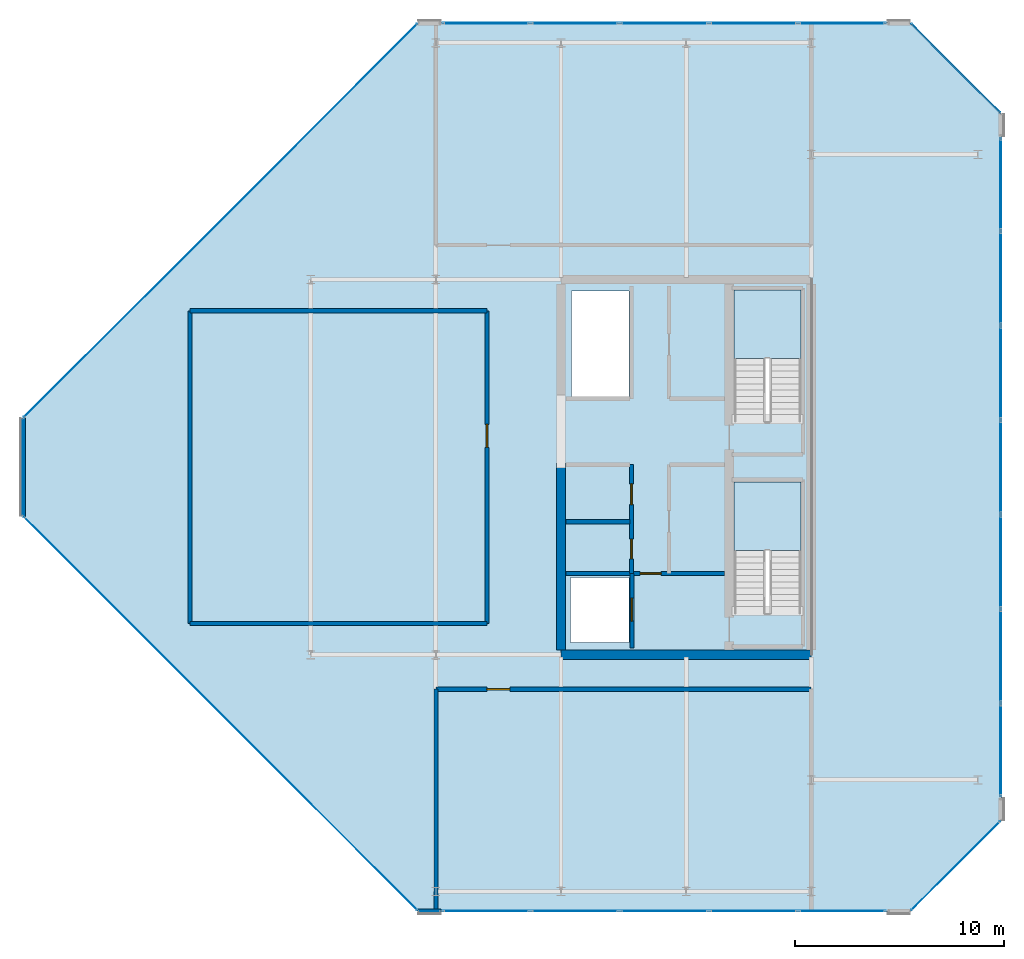
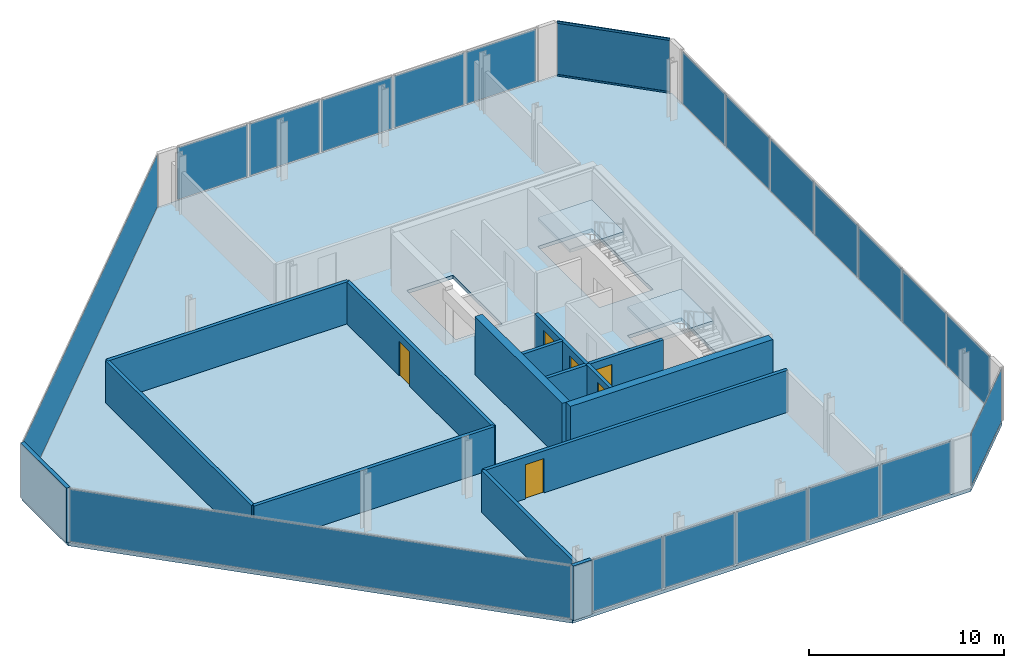
# One storey, part 13 of 16: 21 plates, 14 walls, 6 doors, 3 slabs, 2 members, 6 openings, 9 elements without a shape of their own.
"""IFC4 building model written with IfcOpenShell, lengths in metres."""

from ifc_helpers import new_model, si_unit, direction, frame, frame_2d, origin, origin_2d, place, context, subcontext, project, spatial, polyline, rectangle, hollow_rectangle, outline, extrude, material, layer, layer_set, material_profile, profile_set, type_object, element, fill, aggregate, save


model = new_model("IFC4")

# Units and contexts
model_context = context("Model", 3, precision=1e-05, world=origin(), true_north=direction((0.0, 1.0)))
body_context = subcontext(model_context, "Body", "Model", "MODEL_VIEW")
ifc_project = project(units=[si_unit("LENGTHUNIT", "METRE"), si_unit("AREAUNIT", "SQUARE_METRE"), si_unit("VOLUMEUNIT", "CUBIC_METRE"), si_unit("PLANEANGLEUNIT", "RADIAN"), si_unit("MASSUNIT", "GRAM", prefix="KILO")], contexts=[model_context])

# Site, building, storey
site_placement = place(None, origin())
site = spatial("IfcSite", under=ifc_project, at=site_placement, CompositionType="ELEMENT")
building_placement = place(site_placement, origin())
building = spatial("IfcBuilding", under=site, at=building_placement, Name="Tanjung Sevakor Pilgrim Tower", CompositionType="ELEMENT")
storey_placement = place(building_placement, frame((0.0, 0.0, 271.590087890625)))
storey = spatial("IfcBuildingStorey", under=building, at=storey_placement, Name="L76", CompositionType="ELEMENT", Elevation=271.590087890625)

# Curtain wall, members
ifc_material_1 = material(Name="Aluminium 6063-T6 and Low-E Glass", Category="aluminium")
ifc_layer_1 = layer(ifc_material_1, 0.179931640625)
ifc_layer_set_1 = layer_set([ifc_layer_1], Name="CW-SYS-CHAM")
curtain_wall_type_1 = type_object("IfcCurtainWallType", Name="CW-SYS-CHAM", PredefinedType="NOTDEFINED", material=ifc_layer_set_1)
curtain_wall_1_placement = place(storey_placement, origin())
curtain_wall_1 = element("IfcCurtainWall", 1, at=curtain_wall_1_placement, inside=storey, type_object=curtain_wall_type_1, Name="L76 Curtain Wall CW-CHM-L76-EAST-3", PredefinedType="NOTDEFINED")
ifc_material_2 = material(Name="Aluminium 6063-T6", Category="aluminium")
ifc_material_profile = material_profile(ifc_material_2, hollow_rectangle(XDim=0.06494140625, YDim=0.139892578125, WallThickness=0.00390625, at=origin_2d()))
ifc_profile_set = profile_set([ifc_material_profile], Name="Aluminium 6063-T6")
member_type = type_object("IfcMemberType", Name="TYPE-CWT-1", PredefinedType="USERDEFINED", material=ifc_profile_set)
member_1_placement = place(storey_placement, frame((99.0439453125, 50.600341796875, 0.032470703125), z_axis=(-0.707106781187, 0.707106781187, 0.0), x_axis=(-0.707106781187, -0.707106781187, 0.0)))
member_1 = element("IfcMember", 2, at=member_1_placement, type_object=member_type, Name="CW-CHM transom 1.1", ObjectType="TRANSOM", PredefinedType="USERDEFINED", context=body_context, shape_type="SweptSolid", body=[
    extrude(hollow_rectangle(XDim=0.06494140625, YDim=0.139892578125, WallThickness=0.00390625, at=origin_2d()), origin(), (0.0, 0.0, 1.0), 6.00146484375),
])
member_2_placement = place(storey_placement, frame((99.0439453125, 50.600341796875, 3.37744140625), z_axis=(-0.707106781187, 0.707106781187, 0.0), x_axis=(-0.707106781187, -0.707106781187, 0.0)))
member_2 = element("IfcMember", 3, at=member_2_placement, type_object=member_type, Name="CW-CHM transom 1.2", ObjectType="TRANSOM", PredefinedType="USERDEFINED", context=body_context, shape_type="SweptSolid", body=[
    extrude(hollow_rectangle(XDim=0.06494140625, YDim=0.139892578125, WallThickness=0.00390625, at=origin_2d()), origin(), (0.0, 0.0, 1.0), 6.00146484375),
])

# Stair, slab
ifc_material_3 = material(Name="Concrete C40/50", Category="concrete")
stair_type = type_object("IfcStairType", Name="STAIR-ST-CR150", PredefinedType="HALF_TURN_STAIR", material=ifc_material_3)
stair_1_placement = place(storey_placement, origin())
stair_1 = element("IfcStair", 4, at=stair_1_placement, inside=storey, type_object=stair_type, Name="L76 East Core Exit Stair 1", PredefinedType="HALF_TURN_STAIR")
ifc_material_4 = material(Name="Concrete C40/50", Category="concrete")
ifc_layer_2 = layer(ifc_material_4, 0.199951171875)
ifc_layer_set_2 = layer_set([ifc_layer_2], Name="SL-LAND-200")
slab_type_1 = type_object("IfcSlabType", Name="SL-LAND-200", PredefinedType="LANDING", material=ifc_layer_set_2)
slab_1_placement = place(storey_placement, frame((0.0, 0.0, 1.614990234375)))
slab_1 = element("IfcSlab", 5, at=slab_1_placement, type_object=slab_type_1, Name="TS-E1 landing 1", PredefinedType="LANDING", context=body_context, shape_type="SweptSolid", body=[
    extrude(outline(polyline([(89.5, 29.60009765625), (89.5, 32.89990234375), (86.300048828125, 32.89990234375), (86.300048828125, 29.60009765625), (89.5, 29.60009765625)])), origin(), (0.0, 0.0, 1.0), 0.199951171875),
])
aggregate(stair_1, [slab_1])

stair_2_placement = place(storey_placement, origin())
stair_2 = element("IfcStair", 6, at=stair_2_placement, inside=storey, type_object=stair_type, Name="L76 East Core Exit Stair 2", PredefinedType="HALF_TURN_STAIR")
slab_2_placement = place(storey_placement, frame((0.0, 0.0, 1.614990234375)))
slab_2 = element("IfcSlab", 7, at=slab_2_placement, type_object=slab_type_1, Name="TS-E2 landing 1", PredefinedType="LANDING", context=body_context, shape_type="SweptSolid", body=[
    extrude(outline(polyline([(89.5, 38.800048828125), (89.5, 42.10009765625), (86.300048828125, 42.10009765625), (86.300048828125, 38.800048828125), (89.5, 38.800048828125)])), origin(), (0.0, 0.0, 1.0), 0.199951171875),
])
aggregate(stair_2, [slab_2])

# Slab
ifc_material_5 = material(Name="Concrete C40/50", Category="concrete")
ifc_layer_3 = layer(ifc_material_5, 0.219970703125)
ifc_layer_set_3 = layer_set([ifc_layer_3], Name="SL-TWR-220")
slab_type_2 = type_object("IfcSlabType", Name="SL-TWR-220", PredefinedType="FLOOR", material=ifc_layer_set_3)
slab_3_placement = place(storey_placement, frame((0.0, 0.0, -0.219970703125)))
element("IfcSlab", 8, at=slab_3_placement, inside=storey, type_object=slab_type_2, Name="L76 Floor Slab EAST", PredefinedType="FLOOR", context=body_context, shape_type="SweptSolid", body=[
    extrude(outline(polyline([(71.14697265625, 12.280029296875), (94.753173828125, 12.280029296875), (99.1201171875, 16.64697265625), (99.1201171875, 50.552978515625), (94.753173828125, 54.919921875), (71.14697265625, 54.919921875), (52.179931640625, 35.953125), (52.179931640625, 31.246826171875), (71.14697265625, 12.280029296875)]), holes=[polyline([(89.5, 26.60009765625), (89.5, 32.89990234375), (86.300048828125, 32.89990234375), (86.300048828125, 26.60009765625), (89.5, 26.60009765625)]), polyline([(89.5, 35.800048828125), (89.5, 42.10009765625), (86.300048828125, 42.10009765625), (86.300048828125, 35.800048828125), (89.5, 35.800048828125)]), polyline([(78.449951171875, 25.199951171875), (81.25, 25.199951171875), (81.25, 28.300048828125), (78.449951171875, 28.300048828125), (78.449951171875, 25.199951171875)]), polyline([(78.5, 37.0), (81.25, 37.0), (81.25, 42.050048828125), (78.5, 42.050048828125), (78.5, 37.0)])]), origin(), (0.0, 0.0, 1.0), 0.219970703125),
])

# Curtain wall, plate
curtain_wall_2_placement = place(storey_placement, origin())
curtain_wall_2 = element("IfcCurtainWall", 9, at=curtain_wall_2_placement, inside=storey, type_object=curtain_wall_type_1, Name="L76 Curtain Wall CW-CHM-L76-EAST-1", PredefinedType="NOTDEFINED")
ifc_material_6 = material(Name="Laminated Low-E Double Glazing", Category="glass")
ifc_layer_4 = layer(ifc_material_6, 0.028076171875)
ifc_layer_set_4 = layer_set([ifc_layer_4], Name="TYPE-CWP-GLZ1")
plate_type_1 = type_object("IfcPlateType", Name="TYPE-CWP-GLZ1", PredefinedType="CURTAIN_PANEL", material=ifc_layer_set_4)
plate_1_placement = place(storey_placement, frame((96.922119140625, 14.477783203125, 0.06494140625), z_axis=(0.0, 0.0, 1.0), x_axis=(0.707106781187, 0.707106781187, 0.0)))
plate_1 = element("IfcPlate", 10, at=plate_1_placement, type_object=plate_type_1, Name="CW-CHM panel 1.1", PredefinedType="CURTAIN_PANEL", context=body_context, shape_type="SweptSolid", body=[
    extrude(rectangle(XDim=6.00146484375, YDim=0.028076171875, at=origin_2d()), origin(), (0.0, 0.0, 1.0), 3.280029296875),
])
aggregate(curtain_wall_2, [plate_1])

# Plate
plate_2_placement = place(storey_placement, frame((96.922119140625, 52.72216796875, 0.06494140625), z_axis=(0.0, 0.0, 1.0), x_axis=(-0.707106781187, 0.707106781187, 0.0)))
plate_2 = element("IfcPlate", 11, at=plate_2_placement, type_object=plate_type_1, Name="CW-CHM panel 1.1", PredefinedType="CURTAIN_PANEL", context=body_context, shape_type="SweptSolid", body=[
    extrude(rectangle(XDim=6.00146484375, YDim=0.028076171875, at=origin_2d()), origin(), (0.0, 0.0, 1.0), 3.280029296875),
])

aggregate(curtain_wall_1, [member_1, member_2, plate_2])

# Curtain wall, plate
curtain_wall_3_placement = place(storey_placement, origin())
curtain_wall_3 = element("IfcCurtainWall", 12, at=curtain_wall_3_placement, inside=storey, type_object=curtain_wall_type_1, Name="L76 Curtain Wall CW-CHM-L76-EAST-5", PredefinedType="NOTDEFINED")
plate_3_placement = place(storey_placement, frame((61.677734375, 45.422119140625, 0.06494140625), z_axis=(0.0, 0.0, 1.0), x_axis=(-0.707106781187, -0.707106781187, 0.0)))
plate_3 = element("IfcPlate", 13, at=plate_3_placement, type_object=plate_type_1, Name="CW-CHM panel 1.1", PredefinedType="CURTAIN_PANEL", context=body_context, shape_type="SweptSolid", body=[
    extrude(rectangle(XDim=26.64892578125, YDim=0.028076171875, at=origin_2d()), origin(), (0.0, 0.0, 1.0), 3.280029296875),
])
aggregate(curtain_wall_3, [plate_3])

curtain_wall_4_placement = place(storey_placement, origin())
curtain_wall_4 = element("IfcCurtainWall", 14, at=curtain_wall_4_placement, inside=storey, type_object=curtain_wall_type_1, Name="L76 Curtain Wall CW-CHM-L76-EAST-7", PredefinedType="NOTDEFINED")
plate_4_placement = place(storey_placement, frame((61.677734375, 21.77783203125, 0.06494140625), z_axis=(0.0, 0.0, 1.0), x_axis=(0.707106781187, -0.707106781187, 0.0)))
plate_4 = element("IfcPlate", 15, at=plate_4_placement, type_object=plate_type_1, Name="CW-CHM panel 1.1", PredefinedType="CURTAIN_PANEL", context=body_context, shape_type="SweptSolid", body=[
    extrude(rectangle(XDim=26.64892578125, YDim=0.028076171875, at=origin_2d()), origin(), (0.0, 0.0, 1.0), 3.280029296875),
])
aggregate(curtain_wall_4, [plate_4])

# Curtain wall, plates
ifc_material_7 = material(Name="Aluminium 6063-T6 and Low-E Glass", Category="aluminium")
ifc_layer_5 = layer(ifc_material_7, 0.219970703125)
ifc_layer_set_5 = layer_set([ifc_layer_5], Name="CW-SYS-CRNE")
curtain_wall_type_2 = type_object("IfcCurtainWallType", Name="CW-SYS-CRNE", PredefinedType="NOTDEFINED", material=ifc_layer_set_5)
curtain_wall_5_placement = place(storey_placement, origin())
curtain_wall_5 = element("IfcCurtainWall", 16, at=curtain_wall_5_placement, inside=storey, type_object=curtain_wall_type_2, Name="L76 Curtain Wall CW-CRN-L76-EAST-0-1", PredefinedType="NOTDEFINED")
ifc_material_8 = material(Name="Solar-Control Low-E Acoustic Glazing", Category="glass")
ifc_layer_6 = layer(ifc_material_8, 0.031982421875)
ifc_layer_set_6 = layer_set([ifc_layer_6], Name="TYPE-CWP-GLZ2")
plate_type_2 = type_object("IfcPlateType", Name="TYPE-CWP-GLZ2", PredefinedType="CURTAIN_PANEL", material=ifc_layer_set_6)
plate_5_placement = place(storey_placement, frame((74.406494140625, 12.31005859375, 0.079833984375), z_axis=(0.0, 0.0, 1.0), x_axis=(1.0, 0.0, 0.0)))
plate_5 = element("IfcPlate", 17, at=plate_5_placement, type_object=plate_type_2, Name="CW-CRE panel 1.1", PredefinedType="CURTAIN_PANEL", context=body_context, shape_type="SweptSolid", body=[
    extrude(rectangle(XDim=4.161865234375, YDim=0.031982421875, at=origin_2d()), origin(), (0.0, 0.0, 1.0), 3.25),
])
plate_6_placement = place(storey_placement, frame((78.668212890625, 12.31005859375, 0.079833984375), z_axis=(0.0, 0.0, 1.0), x_axis=(1.0, 0.0, 0.0)))
plate_6 = element("IfcPlate", 18, at=plate_6_placement, type_object=plate_type_2, Name="CW-CRE panel 2.1", PredefinedType="CURTAIN_PANEL", context=body_context, shape_type="SweptSolid", body=[
    extrude(rectangle(XDim=4.20166015625, YDim=0.031982421875, at=origin_2d()), origin(), (0.0, 0.0, 1.0), 3.25),
])
plate_7_placement = place(storey_placement, frame((82.949951171875, 12.31005859375, 0.079833984375), z_axis=(0.0, 0.0, 1.0), x_axis=(1.0, 0.0, 0.0)))
plate_7 = element("IfcPlate", 19, at=plate_7_placement, type_object=plate_type_2, Name="CW-CRE panel 3.1", PredefinedType="CURTAIN_PANEL", context=body_context, shape_type="SweptSolid", body=[
    extrude(rectangle(XDim=4.20166015625, YDim=0.031982421875, at=origin_2d()), origin(), (0.0, 0.0, 1.0), 3.25),
])
plate_8_placement = place(storey_placement, frame((87.231689453125, 12.31005859375, 0.079833984375), z_axis=(0.0, 0.0, 1.0), x_axis=(1.0, 0.0, 0.0)))
plate_8 = element("IfcPlate", 20, at=plate_8_placement, type_object=plate_type_2, Name="CW-CRE panel 4.1", PredefinedType="CURTAIN_PANEL", context=body_context, shape_type="SweptSolid", body=[
    extrude(rectangle(XDim=4.20166015625, YDim=0.031982421875, at=origin_2d()), origin(), (0.0, 0.0, 1.0), 3.25),
])
plate_9_placement = place(storey_placement, frame((91.493408203125, 12.31005859375, 0.079833984375), z_axis=(0.0, 0.0, 1.0), x_axis=(1.0, 0.0, 0.0)))
plate_9 = element("IfcPlate", 21, at=plate_9_placement, type_object=plate_type_2, Name="CW-CRE panel 5.1", PredefinedType="CURTAIN_PANEL", context=body_context, shape_type="SweptSolid", body=[
    extrude(rectangle(XDim=4.161865234375, YDim=0.031982421875, at=origin_2d()), origin(), (0.0, 0.0, 1.0), 3.25),
])
aggregate(curtain_wall_5, [plate_5, plate_6, plate_7, plate_8, plate_9])

curtain_wall_6_placement = place(storey_placement, origin())
curtain_wall_6 = element("IfcCurtainWall", 22, at=curtain_wall_6_placement, inside=storey, type_object=curtain_wall_type_2, Name="L76 Curtain Wall CW-CRN-L76-EAST-2-1", PredefinedType="NOTDEFINED")
plate_10_placement = place(storey_placement, frame((99.090087890625, 20.030517578125, 0.079833984375), z_axis=(0.0, 0.0, 1.0), x_axis=(0.0, 1.0, 0.0)))
plate_10 = element("IfcPlate", 23, at=plate_10_placement, type_object=plate_type_2, Name="CW-CRE panel 1.1", PredefinedType="CURTAIN_PANEL", context=body_context, shape_type="SweptSolid", body=[
    extrude(rectangle(XDim=4.409912109375, YDim=0.031982421875, at=origin_2d()), origin(), (0.0, 0.0, 1.0), 3.25),
])
plate_11_placement = place(storey_placement, frame((99.090087890625, 24.540283203125, 0.079833984375), z_axis=(0.0, 0.0, 1.0), x_axis=(0.0, 1.0, 0.0)))
plate_11 = element("IfcPlate", 24, at=plate_11_placement, type_object=plate_type_2, Name="CW-CRE panel 2.1", PredefinedType="CURTAIN_PANEL", context=body_context, shape_type="SweptSolid", body=[
    extrude(rectangle(XDim=4.44970703125, YDim=0.031982421875, at=origin_2d()), origin(), (0.0, 0.0, 1.0), 3.25),
])
plate_12_placement = place(storey_placement, frame((99.090087890625, 29.070068359375, 0.079833984375), z_axis=(0.0, 0.0, 1.0), x_axis=(0.0, 1.0, 0.0)))
plate_12 = element("IfcPlate", 25, at=plate_12_placement, type_object=plate_type_2, Name="CW-CRE panel 3.1", PredefinedType="CURTAIN_PANEL", context=body_context, shape_type="SweptSolid", body=[
    extrude(rectangle(XDim=4.44970703125, YDim=0.031982421875, at=origin_2d()), origin(), (0.0, 0.0, 1.0), 3.25),
])
plate_13_placement = place(storey_placement, frame((99.090087890625, 33.60009765625, 0.079833984375), z_axis=(0.0, 0.0, 1.0), x_axis=(0.0, 1.0, 0.0)))
plate_13 = element("IfcPlate", 26, at=plate_13_placement, type_object=plate_type_2, Name="CW-CRE panel 4.1", PredefinedType="CURTAIN_PANEL", context=body_context, shape_type="SweptSolid", body=[
    extrude(rectangle(XDim=4.44970703125, YDim=0.031982421875, at=origin_2d()), origin(), (0.0, 0.0, 1.0), 3.25),
])
plate_14_placement = place(storey_placement, frame((99.090087890625, 38.1298828125, 0.079833984375), z_axis=(0.0, 0.0, 1.0), x_axis=(0.0, 1.0, 0.0)))
plate_14 = element("IfcPlate", 27, at=plate_14_placement, type_object=plate_type_2, Name="CW-CRE panel 5.1", PredefinedType="CURTAIN_PANEL", context=body_context, shape_type="SweptSolid", body=[
    extrude(rectangle(XDim=4.44970703125, YDim=0.031982421875, at=origin_2d()), origin(), (0.0, 0.0, 1.0), 3.25),
])
plate_15_placement = place(storey_placement, frame((99.090087890625, 42.65966796875, 0.079833984375), z_axis=(0.0, 0.0, 1.0), x_axis=(0.0, 1.0, 0.0)))
plate_15 = element("IfcPlate", 28, at=plate_15_placement, type_object=plate_type_2, Name="CW-CRE panel 6.1", PredefinedType="CURTAIN_PANEL", context=body_context, shape_type="SweptSolid", body=[
    extrude(rectangle(XDim=4.44970703125, YDim=0.031982421875, at=origin_2d()), origin(), (0.0, 0.0, 1.0), 3.25),
])
plate_16_placement = place(storey_placement, frame((99.090087890625, 47.16943359375, 0.079833984375), z_axis=(0.0, 0.0, 1.0), x_axis=(0.0, 1.0, 0.0)))
plate_16 = element("IfcPlate", 29, at=plate_16_placement, type_object=plate_type_2, Name="CW-CRE panel 7.1", PredefinedType="CURTAIN_PANEL", context=body_context, shape_type="SweptSolid", body=[
    extrude(rectangle(XDim=4.409912109375, YDim=0.031982421875, at=origin_2d()), origin(), (0.0, 0.0, 1.0), 3.25),
])
aggregate(curtain_wall_6, [plate_10, plate_11, plate_12, plate_13, plate_14, plate_15, plate_16])

curtain_wall_7_placement = place(storey_placement, origin())
curtain_wall_7 = element("IfcCurtainWall", 30, at=curtain_wall_7_placement, inside=storey, type_object=curtain_wall_type_2, Name="L76 Curtain Wall CW-CRN-L76-EAST-4-1", PredefinedType="NOTDEFINED")
plate_17_placement = place(storey_placement, frame((91.493408203125, 54.889892578125, 0.079833984375), z_axis=(0.0, 0.0, 1.0), x_axis=(-1.0, 0.0, 0.0)))
plate_17 = element("IfcPlate", 31, at=plate_17_placement, type_object=plate_type_2, Name="CW-CRE panel 1.1", PredefinedType="CURTAIN_PANEL", context=body_context, shape_type="SweptSolid", body=[
    extrude(rectangle(XDim=4.161865234375, YDim=0.031982421875, at=origin_2d()), origin(), (0.0, 0.0, 1.0), 3.25),
])
plate_18_placement = place(storey_placement, frame((87.231689453125, 54.889892578125, 0.079833984375), z_axis=(0.0, 0.0, 1.0), x_axis=(-1.0, 0.0, 0.0)))
plate_18 = element("IfcPlate", 32, at=plate_18_placement, type_object=plate_type_2, Name="CW-CRE panel 2.1", PredefinedType="CURTAIN_PANEL", context=body_context, shape_type="SweptSolid", body=[
    extrude(rectangle(XDim=4.20166015625, YDim=0.031982421875, at=origin_2d()), origin(), (0.0, 0.0, 1.0), 3.25),
])
plate_19_placement = place(storey_placement, frame((82.949951171875, 54.889892578125, 0.079833984375), z_axis=(0.0, 0.0, 1.0), x_axis=(-1.0, 0.0, 0.0)))
plate_19 = element("IfcPlate", 33, at=plate_19_placement, type_object=plate_type_2, Name="CW-CRE panel 3.1", PredefinedType="CURTAIN_PANEL", context=body_context, shape_type="SweptSolid", body=[
    extrude(rectangle(XDim=4.20166015625, YDim=0.031982421875, at=origin_2d()), origin(), (0.0, 0.0, 1.0), 3.25),
])
plate_20_placement = place(storey_placement, frame((78.668212890625, 54.889892578125, 0.079833984375), z_axis=(0.0, 0.0, 1.0), x_axis=(-1.0, 0.0, 0.0)))
plate_20 = element("IfcPlate", 34, at=plate_20_placement, type_object=plate_type_2, Name="CW-CRE panel 4.1", PredefinedType="CURTAIN_PANEL", context=body_context, shape_type="SweptSolid", body=[
    extrude(rectangle(XDim=4.20166015625, YDim=0.031982421875, at=origin_2d()), origin(), (0.0, 0.0, 1.0), 3.25),
])
plate_21_placement = place(storey_placement, frame((74.406494140625, 54.889892578125, 0.079833984375), z_axis=(0.0, 0.0, 1.0), x_axis=(-1.0, 0.0, 0.0)))
plate_21 = element("IfcPlate", 35, at=plate_21_placement, type_object=plate_type_2, Name="CW-CRE panel 5.1", PredefinedType="CURTAIN_PANEL", context=body_context, shape_type="SweptSolid", body=[
    extrude(rectangle(XDim=4.161865234375, YDim=0.031982421875, at=origin_2d()), origin(), (0.0, 0.0, 1.0), 3.25),
])
aggregate(curtain_wall_7, [plate_17, plate_18, plate_19, plate_20, plate_21])

# Walls
ifc_material_9 = material(Name="Concrete C60/75", Category="concrete")
ifc_layer_7 = layer(ifc_material_9, 0.449951171875)
ifc_layer_set_7 = layer_set([ifc_layer_7], Name="WALL-CW-450")
wall_type_1 = type_object("IfcWallType", Name="WALL-CW-450", PredefinedType="SHEAR", material=ifc_layer_set_7)
wall_1_placement = place(storey_placement, frame((78.0, 24.60009765625, 0.0), z_axis=(0.0, 0.0, 1.0), x_axis=(1.0, 0.0, 0.0)))
element("IfcWall", 36, at=wall_1_placement, inside=storey, type_object=wall_type_1, Name="L76 E Core South Shear Wall", PredefinedType="SHEAR", context=body_context, shape_type="SweptSolid", body=[
    extrude(rectangle(XDim=12.0, YDim=0.449951171875, at=frame_2d((6.0, 0.0))), origin(), (0.0, 0.0, 1.0), 3.6298828125),
])
wall_2_placement = place(storey_placement, frame((78.0, 24.824951171875, 0.0), z_axis=(0.0, 0.0, 1.0), x_axis=(0.0, 1.0, 0.0)))
element("IfcWall", 37, at=wall_2_placement, inside=storey, type_object=wall_type_1, Name="L76 E Core Inner Shear Wall South", PredefinedType="SHEAR", context=body_context, shape_type="SweptSolid", body=[
    extrude(rectangle(XDim=8.97509765625, YDim=0.449951171875, at=frame_2d((4.487548828125, 0.0))), origin(), (0.0, 0.0, 1.0), 3.6298828125),
])
ifc_material_10 = material(Name="Precast concrete C45/55", Category="concrete")
ifc_layer_8 = layer(ifc_material_10, 0.219970703125)
ifc_layer_set_8 = layer_set([ifc_layer_8], Name="WT-EW-STN4")
wall_type_2 = type_object("IfcWallType", Name="WT-EW-STN4", PredefinedType="SOLIDWALL", material=ifc_layer_set_8)
wall_3_placement = place(storey_placement, frame((71.1455078125, 12.31005859375, 0.0), z_axis=(0.0, 0.0, 1.0), x_axis=(1.0, 0.0, 0.0)))
element("IfcWall", 38, at=wall_3_placement, inside=storey, type_object=wall_type_2, Name="L76 EAST Crown Pier 0-1A", PredefinedType="SOLIDWALL", context=body_context, shape_type="SweptSolid", body=[
    extrude(rectangle(XDim=1.10009765625, YDim=0.219970703125, at=frame_2d((0.550048828125, 0.0))), origin(), (0.0, 0.0, 1.0), 3.409912109375),
])
wall_4_placement = place(storey_placement, frame((52.2099609375, 35.954345703125, 0.0), z_axis=(0.0, 0.0, 1.0), x_axis=(0.0, -1.0, 0.0)))
element("IfcWall", 39, at=wall_4_placement, inside=storey, type_object=wall_type_2, Name="L76 EAST Exterior Wall 7", PredefinedType="SOLIDWALL", context=body_context, shape_type="SweptSolid", body=[
    extrude(rectangle(XDim=4.708740234375, YDim=0.219970703125, at=frame_2d((2.3544921875, 0.0))), origin(), (0.0, 0.0, 1.0), 3.409912109375),
])

# Wall, opening, door
ifc_material_11 = material(Name="Concrete C40/50", Category="concrete")
ifc_layer_9 = layer(ifc_material_11, 0.199951171875)
ifc_layer_set_9 = layer_set([ifc_layer_9], Name="WT-FPRT-200")
wall_type_3 = type_object("IfcWallType", Name="WT-FPRT-200", PredefinedType="SOLIDWALL", material=ifc_layer_set_9)
wall_5_placement = place(storey_placement, frame((81.39990234375, 24.919921875, 0.0), z_axis=(0.0, 0.0, 1.0), x_axis=(0.0, 1.0, 0.0)))
wall_5 = element("IfcWall", 40, at=wall_5_placement, inside=storey, type_object=wall_type_3, Name="L76 Partition IW-L76-001", PredefinedType="SOLIDWALL", context=body_context, shape_type="SweptSolid", body=[
    extrude(rectangle(XDim=3.580078125, YDim=0.199951171875, at=frame_2d((1.7900390625, 0.0))), origin(), (0.0, 0.0, 1.0), 2.6298828125),
])
opening_1_placement = place(wall_5_placement, frame((1.300048828125, 0.0, 0.0)))
opening_1 = element("IfcOpeningElement", 41, at=opening_1_placement, cuts=wall_5, Name="Opening LD-1100", PredefinedType="OPENING", context=body_context, shape_type="SweptSolid", body=[
    extrude(rectangle(XDim=1.10009765625, YDim=2.199951171875, at=frame_2d((0.550048828125, 1.10009765625))), frame((0.0, 0.10986328125, 0.0), z_axis=(0.0, -1.0, 0.0), x_axis=(1.0, 0.0, 0.0)), (0.0, 0.0, 1.0), 0.219970703125),
])
ifc_material_12 = material(Name="Brushed Stainless Steel S355J2", Category="steel")
door_type_1 = type_object("IfcDoorType", Name="DT-LIFT-1100", OperationType="SLIDING_TO_LEFT", PredefinedType="DOOR", material=ifc_material_12)
door_1_placement = place(opening_1_placement, origin())
door_1 = element("IfcDoor", 42, at=door_1_placement, inside=storey, type_object=door_type_1, Name="LD-FL-E", OperationType="SLIDING_TO_LEFT", OverallHeight=2.199951171875, OverallWidth=1.10009765625, PredefinedType="DOOR", context=body_context, shape_type="SweptSolid", body=[
    extrude(rectangle(XDim=1.10009765625, YDim=2.199951171875, at=frame_2d((0.550048828125, 1.10009765625))), frame((0.0, 0.02490234375, 0.0), z_axis=(0.0, -1.0, 0.0), x_axis=(1.0, 0.0, 0.0)), (0.0, 0.0, 1.0), 0.050048828125),
])
fill(opening_1, door_1)

wall_6_placement = place(storey_placement, frame((78.2451171875, 28.5, 0.0), z_axis=(0.0, 0.0, 1.0), x_axis=(1.0, 0.0, 0.0)))
wall_6 = element("IfcWall", 43, at=wall_6_placement, inside=storey, type_object=wall_type_3, Name="L76 Partition IW-L76-002", PredefinedType="SOLIDWALL", context=body_context, shape_type="SweptSolid", body=[
    extrude(rectangle(XDim=7.5849609375, YDim=0.199951171875, at=frame_2d((3.79248046875, 0.0))), origin(), (0.0, 0.0, 1.0), 2.6298828125),
])
opening_2_placement = place(wall_6_placement, frame((3.554931640625, 0.0, 0.0)))
opening_2 = element("IfcOpeningElement", 44, at=opening_2_placement, cuts=wall_6, Name="Opening ID-FD1", PredefinedType="OPENING", context=body_context, shape_type="SweptSolid", body=[
    extrude(rectangle(XDim=1.0, YDim=2.14990234375, at=frame_2d((0.5, 1.074951171875))), frame((0.0, 0.10986328125, 0.0), z_axis=(0.0, -1.0, 0.0), x_axis=(1.0, 0.0, 0.0)), (0.0, 0.0, 1.0), 0.219970703125),
])
ifc_material_13 = material(Name="Fire-Rated Steel S355J2", Category="steel")
door_type_2 = type_object("IfcDoorType", Name="DT-FIRE-1000", OperationType="NOTDEFINED", PredefinedType="DOOR", material=ifc_material_13)
door_2_placement = place(opening_2_placement, origin())
door_2 = element("IfcDoor", 45, at=door_2_placement, inside=storey, type_object=door_type_2, Name="Fire Lobby Door E", OperationType="SINGLE_SWING_LEFT", OverallHeight=2.14990234375, OverallWidth=1.0, PredefinedType="DOOR", context=body_context, shape_type="SweptSolid", body=[
    extrude(rectangle(XDim=1.0, YDim=2.14990234375, at=frame_2d((0.5, 1.074951171875))), frame((0.0, 0.02490234375, 0.0), z_axis=(0.0, -1.0, 0.0), x_axis=(1.0, 0.0, 0.0)), (0.0, 0.0, 1.0), 0.050048828125),
])
fill(opening_2, door_2)

# Wall
wall_7_placement = place(storey_placement, frame((78.2451171875, 30.97998046875, 0.0), z_axis=(0.0, 0.0, 1.0), x_axis=(1.0, 0.0, 0.0)))
element("IfcWall", 46, at=wall_7_placement, inside=storey, type_object=wall_type_3, Name="L76 Partition IW-L76-005", PredefinedType="SOLIDWALL", context=body_context, shape_type="SweptSolid", body=[
    extrude(rectangle(XDim=3.074951171875, YDim=0.199951171875, at=frame_2d((1.53759765625, 0.0))), origin(), (0.0, 0.0, 1.0), 2.6298828125),
])

# Wall, openings, doors
wall_8_placement = place(storey_placement, frame((81.3798828125, 28.5, 0.0), z_axis=(0.0, 0.0, 1.0), x_axis=(0.0, 1.0, 0.0)))
wall_8 = element("IfcWall", 47, at=wall_8_placement, inside=storey, type_object=wall_type_3, Name="L76 Partition IW-L76-007", PredefinedType="SOLIDWALL", context=body_context, shape_type="SweptSolid", body=[
    extrude(rectangle(XDim=5.219970703125, YDim=0.199951171875, at=frame_2d((2.60986328125, 0.0))), origin(), (0.0, 0.0, 1.0), 2.6298828125),
])
opening_3_placement = place(wall_8_placement, frame((0.699951171875, 0.0, 0.0)))
opening_3 = element("IfcOpeningElement", 48, at=opening_3_placement, cuts=wall_8, Name="Opening ID-FD2", PredefinedType="OPENING", context=body_context, shape_type="SweptSolid", body=[
    extrude(rectangle(XDim=0.949951171875, YDim=2.14990234375, at=frame_2d((0.47509765625, 1.074951171875))), frame((0.0, 0.10986328125, 0.0), z_axis=(0.0, -1.0, 0.0), x_axis=(1.0, 0.0, 0.0)), (0.0, 0.0, 1.0), 0.219970703125),
])
opening_4_placement = place(wall_8_placement, frame((3.300048828125, 0.0, 0.0)))
opening_4 = element("IfcOpeningElement", 49, at=opening_4_placement, cuts=wall_8, Name="Opening ID-FD1", PredefinedType="OPENING", context=body_context, shape_type="SweptSolid", body=[
    extrude(rectangle(XDim=1.0, YDim=2.14990234375, at=frame_2d((0.5, 1.074951171875))), frame((0.0, 0.10986328125, 0.0), z_axis=(0.0, -1.0, 0.0), x_axis=(1.0, 0.0, 0.0)), (0.0, 0.0, 1.0), 0.219970703125),
])
door_3_placement = place(opening_4_placement, origin())
door_3 = element("IfcDoor", 50, at=door_3_placement, inside=storey, type_object=door_type_2, Name="L76 Core AHU Plant Door", OperationType="SINGLE_SWING_RIGHT", OverallHeight=2.14990234375, OverallWidth=1.0, PredefinedType="DOOR", context=body_context, shape_type="SweptSolid", body=[
    extrude(rectangle(XDim=1.0, YDim=2.14990234375, at=frame_2d((0.5, 1.074951171875))), frame((0.0, 0.02490234375, 0.0), z_axis=(0.0, -1.0, 0.0), x_axis=(1.0, 0.0, 0.0)), (0.0, 0.0, 1.0), 0.050048828125),
])
fill(opening_4, door_3)
ifc_material_14 = material(Name="Fire-Rated Timber", Category="wood")
door_type_3 = type_object("IfcDoorType", Name="DT-FIRE-950", OperationType="NOTDEFINED", PredefinedType="DOOR", material=ifc_material_14)
door_4_placement = place(opening_3_placement, origin())
door_4 = element("IfcDoor", 51, at=door_4_placement, inside=storey, type_object=door_type_3, Name="L76 Core Accessible WC Door", OperationType="SINGLE_SWING_LEFT", OverallHeight=2.14990234375, OverallWidth=0.949951171875, PredefinedType="DOOR", context=body_context, shape_type="SweptSolid", body=[
    extrude(rectangle(XDim=0.949951171875, YDim=2.14990234375, at=frame_2d((0.47509765625, 1.074951171875))), frame((0.0, 0.02490234375, 0.0), z_axis=(0.0, -1.0, 0.0), x_axis=(1.0, 0.0, 0.0)), (0.0, 0.0, 1.0), 0.050048828125),
])
fill(opening_3, door_4)

# Walls
for number, where, z_axis, x_axis, name in (
    (52, (60.199951171875, 26.10009765625, 0.0), (0.0, 0.0, 1.0), (1.0, 0.0, 0.0), "L76 Partition IW-L76-012"),
    (53, (60.199951171875, 41.10009765625, 0.0), (0.0, 0.0, 1.0), (1.0, 0.0, 0.0), "L76 Partition IW-L76-013"),
):
    element("IfcWall", number, at=place(storey_placement, frame(where, z_axis=z_axis, x_axis=x_axis)), inside=storey, type_object=wall_type_3, Name=name, PredefinedType="SOLIDWALL", context=body_context, shape_type="SweptSolid", body=[
        extrude(rectangle(XDim=14.25, YDim=0.199951171875, at=frame_2d((7.125, 0.0))), origin(), (0.0, 0.0, 1.0), 2.6298828125),
    ])
wall_9_placement = place(storey_placement, frame((60.199951171875, 26.10009765625, 0.0), z_axis=(0.0, 0.0, 1.0), x_axis=(0.0, 1.0, 0.0)))
element("IfcWall", 54, at=wall_9_placement, inside=storey, type_object=wall_type_3, Name="L76 Partition IW-L76-014", PredefinedType="SOLIDWALL", context=body_context, shape_type="SweptSolid", body=[
    extrude(rectangle(XDim=15.0, YDim=0.199951171875, at=frame_2d((7.5, 0.0))), origin(), (0.0, 0.0, 1.0), 2.6298828125),
])

# Wall, opening, door
wall_10_placement = place(storey_placement, frame((74.449951171875, 26.10009765625, 0.0), z_axis=(0.0, 0.0, 1.0), x_axis=(0.0, 1.0, 0.0)))
wall_10 = element("IfcWall", 55, at=wall_10_placement, inside=storey, type_object=wall_type_3, Name="L76 Partition IW-L76-015", PredefinedType="SOLIDWALL", context=body_context, shape_type="SweptSolid", body=[
    extrude(rectangle(XDim=15.0, YDim=0.199951171875, at=frame_2d((7.5, 0.0))), origin(), (0.0, 0.0, 1.0), 2.6298828125),
])
opening_5_placement = place(wall_10_placement, frame((8.449951171875, 0.0, 0.0)))
opening_5 = element("IfcOpeningElement", 56, at=opening_5_placement, cuts=wall_10, Name="Opening ID-FD0", PredefinedType="OPENING", context=body_context, shape_type="SweptSolid", body=[
    extrude(rectangle(XDim=1.10009765625, YDim=2.14990234375, at=frame_2d((0.550048828125, 1.074951171875))), frame((0.0, 0.10986328125, 0.0), z_axis=(0.0, -1.0, 0.0), x_axis=(1.0, 0.0, 0.0)), (0.0, 0.0, 1.0), 0.219970703125),
])
ifc_material_15 = material(Name="Fire-Rated Steel S355J2", Category="steel")
door_type_4 = type_object("IfcDoorType", Name="DT-FIRE-1100", OperationType="NOTDEFINED", PredefinedType="DOOR", material=ifc_material_15)
door_5_placement = place(opening_5_placement, origin())
door_5 = element("IfcDoor", 57, at=door_5_placement, inside=storey, type_object=door_type_4, Name="L76 Lift Machinery East Door", OperationType="SINGLE_SWING_RIGHT", OverallHeight=2.14990234375, OverallWidth=1.10009765625, PredefinedType="DOOR", context=body_context, shape_type="SweptSolid", body=[
    extrude(rectangle(XDim=1.10009765625, YDim=2.14990234375, at=frame_2d((0.550048828125, 1.074951171875))), frame((0.0, 0.02490234375, 0.0), z_axis=(0.0, -1.0, 0.0), x_axis=(1.0, 0.0, 0.0)), (0.0, 0.0, 1.0), 0.050048828125),
])
fill(opening_5, door_5)

wall_11_placement = place(storey_placement, frame((72.0, 22.949951171875, 0.0), z_axis=(0.0, 0.0, 1.0), x_axis=(1.0, 0.0, 0.0)))
wall_11 = element("IfcWall", 58, at=wall_11_placement, inside=storey, type_object=wall_type_3, Name="L76 Partition IW-L76-016", PredefinedType="SOLIDWALL", context=body_context, shape_type="SweptSolid", body=[
    extrude(rectangle(XDim=18.0, YDim=0.199951171875, at=frame_2d((9.0, 0.0))), origin(), (0.0, 0.0, 1.0), 2.6298828125),
])
opening_6_placement = place(wall_11_placement, frame((2.449951171875, 0.0, 0.0)))
opening_6 = element("IfcOpeningElement", 59, at=opening_6_placement, cuts=wall_11, Name="Opening ID-FD0", PredefinedType="OPENING", context=body_context, shape_type="SweptSolid", body=[
    extrude(rectangle(XDim=1.10009765625, YDim=2.14990234375, at=frame_2d((0.550048828125, 1.074951171875))), frame((0.0, 0.10986328125, 0.0), z_axis=(0.0, -1.0, 0.0), x_axis=(1.0, 0.0, 0.0)), (0.0, 0.0, 1.0), 0.219970703125),
])
door_6_placement = place(opening_6_placement, origin())
door_6 = element("IfcDoor", 60, at=door_6_placement, inside=storey, type_object=door_type_4, Name="L76 South Plant Room Door", OperationType="SINGLE_SWING_LEFT", OverallHeight=2.14990234375, OverallWidth=1.10009765625, PredefinedType="DOOR", context=body_context, shape_type="SweptSolid", body=[
    extrude(rectangle(XDim=1.10009765625, YDim=2.14990234375, at=frame_2d((0.550048828125, 1.074951171875))), frame((0.0, 0.02490234375, 0.0), z_axis=(0.0, -1.0, 0.0), x_axis=(1.0, 0.0, 0.0)), (0.0, 0.0, 1.0), 0.050048828125),
])
fill(opening_6, door_6)

# Wall
wall_12_placement = place(storey_placement, frame((72.0, 12.340087890625, 0.0), z_axis=(0.0, 0.0, 1.0), x_axis=(0.0, 1.0, 0.0)))
element("IfcWall", 61, at=wall_12_placement, inside=storey, type_object=wall_type_3, Name="L76 Partition IW-L76-017", PredefinedType="SOLIDWALL", context=body_context, shape_type="SweptSolid", body=[
    extrude(rectangle(XDim=10.60986328125, YDim=0.199951171875, at=frame_2d((5.304931640625, 0.0))), origin(), (0.0, 0.0, 1.0), 2.6298828125),
])

save(model, "model.ifc")
